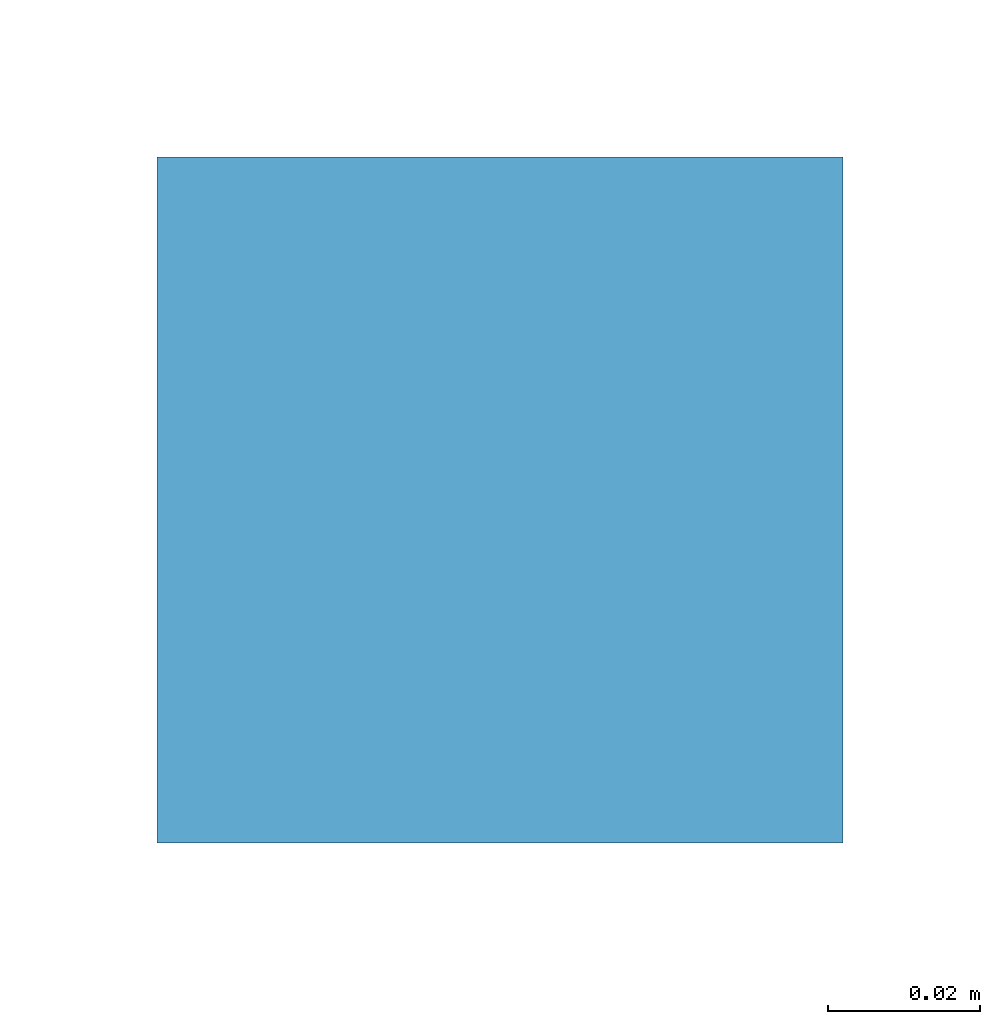
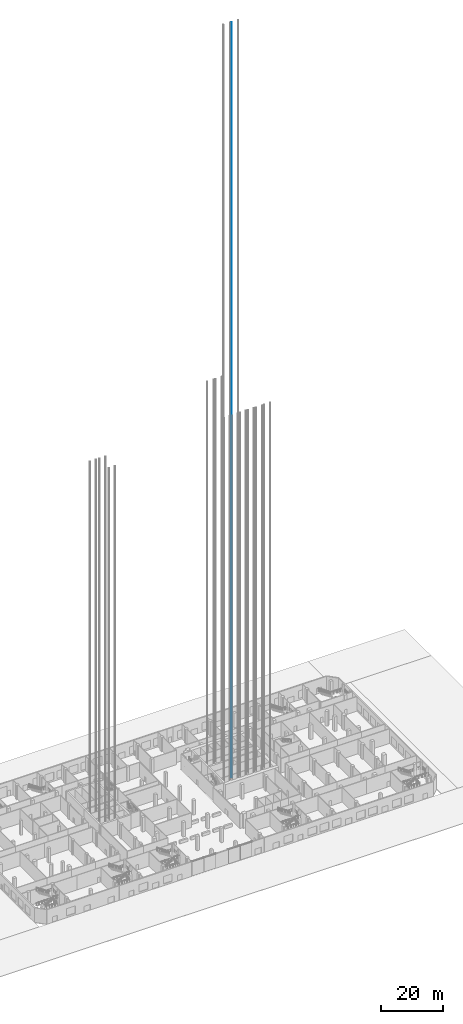
# One storey, part 30 of 55: 1 member.
"""IFC4 building model written with IfcOpenShell, lengths in metres."""

from ifc_helpers import new_model, si_unit, direction, frame, origin, origin_2d, place, context, subcontext, project, spatial, rectangle, extrude, material, material_profile, profile_set, type_object, element, save


model = new_model("IFC4")

# Units and contexts
model_context = context("Model", 3, precision=1e-05, world=origin(), true_north=direction((0.0, 1.0)))
body_context = subcontext(model_context, "Body", "Model", "MODEL_VIEW")
ifc_project = project(units=[si_unit("LENGTHUNIT", "METRE"), si_unit("AREAUNIT", "SQUARE_METRE"), si_unit("VOLUMEUNIT", "CUBIC_METRE"), si_unit("PLANEANGLEUNIT", "RADIAN"), si_unit("MASSUNIT", "GRAM", prefix="KILO")], contexts=[model_context])

# Site, building, storey
site_placement = place(None, origin())
site = spatial("IfcSite", under=ifc_project, at=site_placement, CompositionType="ELEMENT")
building_placement = place(site_placement, origin())
building = spatial("IfcBuilding", under=site, at=building_placement, Name="Cinnabar Reach Civic Tower", CompositionType="ELEMENT")
storey_placement = place(building_placement, origin())
storey = spatial("IfcBuildingStorey", under=building, at=storey_placement, Name="L00", CompositionType="ELEMENT", Elevation=0.0)

# Member
ifc_material = material(Name="Steel Q355B", Category="steel")
ifc_material_profile = material_profile(ifc_material, rectangle(XDim=0.09, YDim=0.09, at=origin_2d()), Name="T1 lift guide rail")
ifc_profile_set = profile_set([ifc_material_profile], Name="Steel Q355B")
member_type = type_object("IfcMemberType", Name="T1 lift guide rail", PredefinedType="USERDEFINED", material=ifc_profile_set)
member_placement = place(storey_placement, frame((13.72, 33.0, -2.5), z_axis=(0.0, 0.0, 1.0), x_axis=(1.0, 0.0, 0.0)))
element("IfcMember", 1, at=member_placement, inside=storey, type_object=member_type, Name="T1-OB2 guide rail 1", ObjectType="GUIDE RAIL", PredefinedType="USERDEFINED", context=body_context, shape_type="SweptSolid", body=[
    extrude(rectangle(XDim=0.09, YDim=0.09, at=origin_2d()), origin(), (0.0, 0.0, 1.0), 297.5),
])

save(model, "model.ifc")
